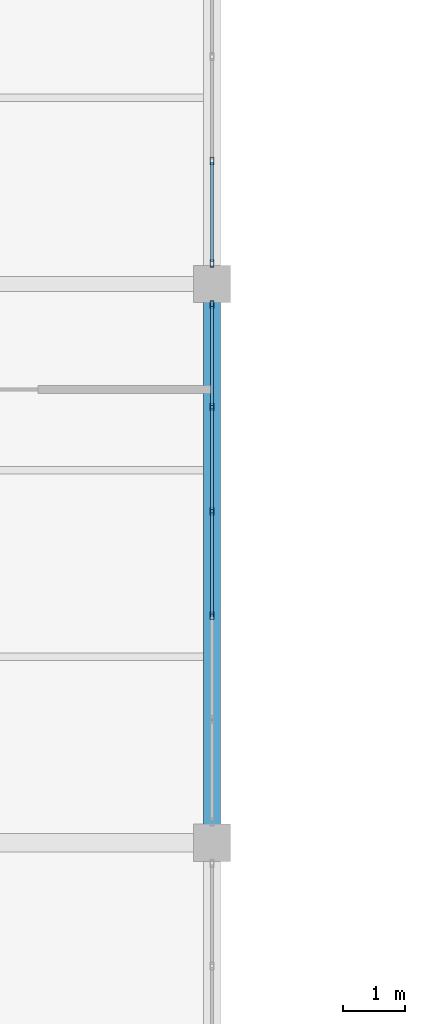
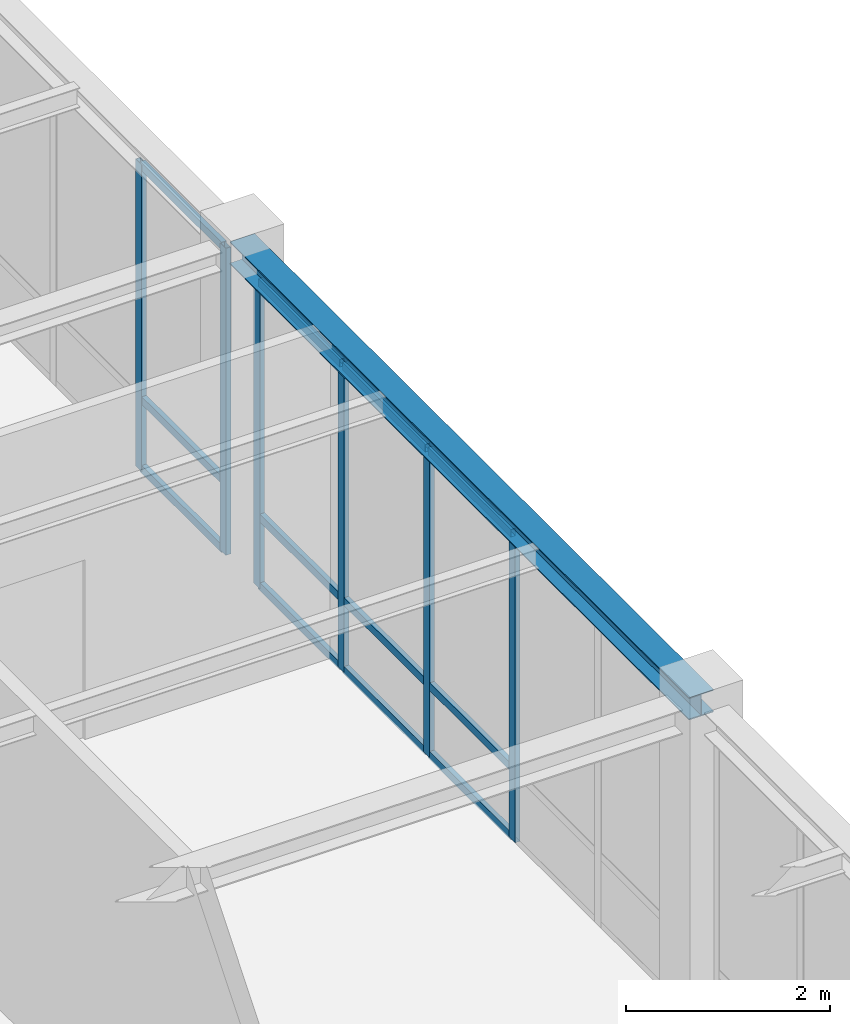
# One storey, part 33 of 97: 18 members, 1 beam, 2 elements without a shape of their own.
"""IFC4 building model written with IfcOpenShell, lengths in metres."""

from ifc_helpers import new_model, si_unit, direction, frame, origin, origin_2d, place, context, subcontext, project, spatial, hollow_rectangle, i_section, extrude, material, material_profile, profile_set, type_object, element, aggregate, save


model = new_model("IFC4")

# Units and contexts
model_context = context("Model", 3, precision=1e-05, world=origin(), true_north=direction((0.0, 1.0)))
body_context = subcontext(model_context, "Body", "Model", "MODEL_VIEW")
ifc_project = project(units=[si_unit("LENGTHUNIT", "METRE"), si_unit("AREAUNIT", "SQUARE_METRE"), si_unit("VOLUMEUNIT", "CUBIC_METRE"), si_unit("PLANEANGLEUNIT", "RADIAN"), si_unit("MASSUNIT", "GRAM", prefix="KILO")], contexts=[model_context])

# Site, building, storey
site_placement = place(None, origin())
site = spatial("IfcSite", under=ifc_project, at=site_placement, CompositionType="ELEMENT")
building_placement = place(site_placement, origin())
building = spatial("IfcBuilding", under=site, at=building_placement, Name="Lykobir Media Centre", CompositionType="ELEMENT")
storey_placement = place(building_placement, frame((0.0, 0.0, 23.39990234375)))
storey = spatial("IfcBuildingStorey", under=building, at=storey_placement, Name="L05", CompositionType="ELEMENT", Elevation=23.39990234375)

# Beam
ifc_material_1 = material(Name="Steel S355", Category="steel")
ifc_material_profile_1 = material_profile(ifc_material_1, i_section(OverallWidth=0.280029296875, OverallDepth=0.27001953125, WebThickness=0.008056640625, FlangeThickness=0.012939453125, at=origin_2d()), Name="HEA 280")
ifc_profile_set_1 = profile_set([ifc_material_profile_1], Name="Steel S355")
beam_type = type_object("IfcBeamType", Name="BM-HEA280", PredefinedType="BEAM", material=ifc_profile_set_1)
beam_placement = place(storey_placement, frame((36.0, 36.0, 3.8251953125), z_axis=(0.0, 1.0, 0.0), x_axis=(-1.0, 0.0, 0.0)))
element("IfcBeam", 1, at=beam_placement, inside=storey, type_object=beam_type, Name="Beam BM-L05-0360-0360-0360-0450-2722", PredefinedType="BEAM", context=body_context, shape_type="SweptSolid", body=[
    extrude(i_section(OverallWidth=0.280029296875, OverallDepth=0.27001953125, WebThickness=0.008056640625, FlangeThickness=0.012939453125, at=origin_2d()), origin(), (0.0, 0.0, 1.0), 9.0),
])

# Curtain wall, members
ifc_material_2 = material(Name="Anodized Aluminium AW-6060", Category="aluminium")
curtain_wall_type = type_object("IfcCurtainWallType", Name="CW-COURT-B", PredefinedType="NOTDEFINED", material=ifc_material_2)
curtain_wall_1_placement = place(storey_placement, origin())
curtain_wall_1 = element("IfcCurtainWall", 2, at=curtain_wall_1_placement, inside=storey, type_object=curtain_wall_type, Name="Curtain wall CW2-L05-0196", PredefinedType="NOTDEFINED")
ifc_material_profile_2 = material_profile(ifc_material_2, hollow_rectangle(XDim=0.054931640625, YDim=0.1201171875, WallThickness=0.003173828125, at=origin_2d()), Name="ALU MULLION 55x120")
ifc_profile_set_2 = profile_set([ifc_material_profile_2], Name="Anodized Aluminium AW-6060")
member_type_1 = type_object("IfcMemberType", Name="CWM-120", PredefinedType="MULLION", material=ifc_profile_set_2)
member_1_placement = place(storey_placement, frame((36.0, 44.66748046875, 0.0), z_axis=(0.0, 0.0, 1.0), x_axis=(1.0, 0.0, 0.0)))
member_1 = element("IfcMember", 3, at=member_1_placement, type_object=member_type_1, Name="CW2-L05-0196 mullion 1", PredefinedType="MULLION", context=body_context, shape_type="SweptSolid", body=[
    extrude(hollow_rectangle(XDim=0.054931640625, YDim=0.1201171875, WallThickness=0.003173828125, at=origin_2d()), origin(), (0.0, 0.0, 1.0), 3.675048828125),
])
member_2_placement = place(storey_placement, frame((36.0, 43.01708984375, 0.0), z_axis=(0.0, 0.0, 1.0), x_axis=(1.0, 0.0, 0.0)))
member_2 = element("IfcMember", 4, at=member_2_placement, type_object=member_type_1, Name="CW2-L05-0196 mullion 2", PredefinedType="MULLION", context=body_context, shape_type="SweptSolid", body=[
    extrude(hollow_rectangle(XDim=0.054931640625, YDim=0.1201171875, WallThickness=0.003173828125, at=origin_2d()), origin(), (0.0, 0.0, 1.0), 3.675048828125),
])
member_3_placement = place(storey_placement, frame((36.0, 41.339111328125, 0.0), z_axis=(0.0, 0.0, 1.0), x_axis=(1.0, 0.0, 0.0)))
member_3 = element("IfcMember", 5, at=member_3_placement, type_object=member_type_1, Name="CW2-L05-0196 mullion 3", PredefinedType="MULLION", context=body_context, shape_type="SweptSolid", body=[
    extrude(hollow_rectangle(XDim=0.054931640625, YDim=0.1201171875, WallThickness=0.003173828125, at=origin_2d()), origin(), (0.0, 0.0, 1.0), 3.675048828125),
])
member_4_placement = place(storey_placement, frame((36.0, 39.660888671875, 0.0), z_axis=(0.0, 0.0, 1.0), x_axis=(1.0, 0.0, 0.0)))
member_4 = element("IfcMember", 6, at=member_4_placement, type_object=member_type_1, Name="CW2-L05-0196 mullion 4", PredefinedType="MULLION", context=body_context, shape_type="SweptSolid", body=[
    extrude(hollow_rectangle(XDim=0.054931640625, YDim=0.1201171875, WallThickness=0.003173828125, at=origin_2d()), origin(), (0.0, 0.0, 1.0), 3.675048828125),
])

curtain_wall_2_placement = place(storey_placement, origin())
curtain_wall_2 = element("IfcCurtainWall", 7, at=curtain_wall_2_placement, inside=storey, type_object=curtain_wall_type, Name="Curtain wall CW2-L05-0197", PredefinedType="NOTDEFINED")
member_5_placement = place(storey_placement, frame((36.0, 46.98291015625, 0.0), z_axis=(0.0, 0.0, 1.0), x_axis=(1.0, 0.0, 0.0)))
member_5 = element("IfcMember", 8, at=member_5_placement, type_object=member_type_1, Name="CW2-L05-0197 mullion 5", PredefinedType="MULLION", context=body_context, shape_type="SweptSolid", body=[
    extrude(hollow_rectangle(XDim=0.054931640625, YDim=0.1201171875, WallThickness=0.003173828125, at=origin_2d()), origin(), (0.0, 0.0, 1.0), 3.673095703125),
])
member_6_placement = place(storey_placement, frame((36.0, 45.33251953125, 0.0), z_axis=(0.0, 0.0, 1.0), x_axis=(1.0, 0.0, 0.0)))
member_6 = element("IfcMember", 9, at=member_6_placement, type_object=member_type_1, Name="CW2-L05-0197 mullion 6", PredefinedType="MULLION", context=body_context, shape_type="SweptSolid", body=[
    extrude(hollow_rectangle(XDim=0.054931640625, YDim=0.1201171875, WallThickness=0.003173828125, at=origin_2d()), origin(), (0.0, 0.0, 1.0), 3.673095703125),
])

# Member
ifc_material_profile_3 = material_profile(ifc_material_2, hollow_rectangle(XDim=0.054931640625, YDim=0.094970703125, WallThickness=0.0029296875, at=origin_2d()), Name="ALU TRANSOM 55x95")
ifc_profile_set_3 = profile_set([ifc_material_profile_3], Name="Anodized Aluminium AW-6060")
member_type_2 = type_object("IfcMemberType", Name="CWT-095", PredefinedType="USERDEFINED", material=ifc_profile_set_3)
member_7_placement = place(storey_placement, frame((36.0, 44.639892578125, 0.027587890625), z_axis=(0.0, -1.0, 0.0), x_axis=(1.0, 0.0, 0.0)))
member_7 = element("IfcMember", 10, at=member_7_placement, type_object=member_type_2, Name="CW2-L05-0196 transom 1.1", ObjectType="TRANSOM", PredefinedType="USERDEFINED", context=body_context, shape_type="SweptSolid", body=[
    extrude(hollow_rectangle(XDim=0.054931640625, YDim=0.094970703125, WallThickness=0.0029296875, at=origin_2d()), origin(), (0.0, 0.0, 1.0), 1.595458984375),
])

member_8_placement = place(storey_placement, frame((36.0, 44.639892578125, 0.85009765625), z_axis=(0.0, -1.0, 0.0), x_axis=(1.0, 0.0, 0.0)))
member_8 = element("IfcMember", 11, at=member_8_placement, type_object=member_type_2, Name="CW2-L05-0196 transom 1.2", ObjectType="TRANSOM", PredefinedType="USERDEFINED", context=body_context, shape_type="SweptSolid", body=[
    extrude(hollow_rectangle(XDim=0.054931640625, YDim=0.094970703125, WallThickness=0.0029296875, at=origin_2d()), origin(), (0.0, 0.0, 1.0), 1.595458984375),
])

member_9_placement = place(storey_placement, frame((36.0, 44.639892578125, 3.647705078125), z_axis=(0.0, -1.0, 0.0), x_axis=(1.0, 0.0, 0.0)))
member_9 = element("IfcMember", 12, at=member_9_placement, type_object=member_type_2, Name="CW2-L05-0196 transom 1.3", ObjectType="TRANSOM", PredefinedType="USERDEFINED", context=body_context, shape_type="SweptSolid", body=[
    extrude(hollow_rectangle(XDim=0.054931640625, YDim=0.094970703125, WallThickness=0.0029296875, at=origin_2d()), origin(), (0.0, 0.0, 1.0), 1.595458984375),
])

member_10_placement = place(storey_placement, frame((36.0, 42.989501953125, 0.027587890625), z_axis=(0.0, -1.0, 0.0), x_axis=(1.0, 0.0, 0.0)))
member_10 = element("IfcMember", 13, at=member_10_placement, type_object=member_type_2, Name="CW2-L05-0196 transom 2.1", ObjectType="TRANSOM", PredefinedType="USERDEFINED", context=body_context, shape_type="SweptSolid", body=[
    extrude(hollow_rectangle(XDim=0.054931640625, YDim=0.094970703125, WallThickness=0.0029296875, at=origin_2d()), origin(), (0.0, 0.0, 1.0), 1.623046875),
])

member_11_placement = place(storey_placement, frame((36.0, 42.989501953125, 0.85009765625), z_axis=(0.0, -1.0, 0.0), x_axis=(1.0, 0.0, 0.0)))
member_11 = element("IfcMember", 14, at=member_11_placement, type_object=member_type_2, Name="CW2-L05-0196 transom 2.2", ObjectType="TRANSOM", PredefinedType="USERDEFINED", context=body_context, shape_type="SweptSolid", body=[
    extrude(hollow_rectangle(XDim=0.054931640625, YDim=0.094970703125, WallThickness=0.0029296875, at=origin_2d()), origin(), (0.0, 0.0, 1.0), 1.623046875),
])

member_12_placement = place(storey_placement, frame((36.0, 42.989501953125, 3.647705078125), z_axis=(0.0, -1.0, 0.0), x_axis=(1.0, 0.0, 0.0)))
member_12 = element("IfcMember", 15, at=member_12_placement, type_object=member_type_2, Name="CW2-L05-0196 transom 2.3", ObjectType="TRANSOM", PredefinedType="USERDEFINED", context=body_context, shape_type="SweptSolid", body=[
    extrude(hollow_rectangle(XDim=0.054931640625, YDim=0.094970703125, WallThickness=0.0029296875, at=origin_2d()), origin(), (0.0, 0.0, 1.0), 1.623046875),
])

member_13_placement = place(storey_placement, frame((36.0, 41.3115234375, 0.027587890625), z_axis=(0.0, -1.0, 0.0), x_axis=(1.0, 0.0, 0.0)))
member_13 = element("IfcMember", 16, at=member_13_placement, type_object=member_type_2, Name="CW2-L05-0196 transom 3.1", ObjectType="TRANSOM", PredefinedType="USERDEFINED", context=body_context, shape_type="SweptSolid", body=[
    extrude(hollow_rectangle(XDim=0.054931640625, YDim=0.094970703125, WallThickness=0.0029296875, at=origin_2d()), origin(), (0.0, 0.0, 1.0), 1.623046875),
])

member_14_placement = place(storey_placement, frame((36.0, 41.3115234375, 0.85009765625), z_axis=(0.0, -1.0, 0.0), x_axis=(1.0, 0.0, 0.0)))
member_14 = element("IfcMember", 17, at=member_14_placement, type_object=member_type_2, Name="CW2-L05-0196 transom 3.2", ObjectType="TRANSOM", PredefinedType="USERDEFINED", context=body_context, shape_type="SweptSolid", body=[
    extrude(hollow_rectangle(XDim=0.054931640625, YDim=0.094970703125, WallThickness=0.0029296875, at=origin_2d()), origin(), (0.0, 0.0, 1.0), 1.623046875),
])

member_15_placement = place(storey_placement, frame((36.0, 41.3115234375, 3.647705078125), z_axis=(0.0, -1.0, 0.0), x_axis=(1.0, 0.0, 0.0)))
member_15 = element("IfcMember", 18, at=member_15_placement, type_object=member_type_2, Name="CW2-L05-0196 transom 3.3", ObjectType="TRANSOM", PredefinedType="USERDEFINED", context=body_context, shape_type="SweptSolid", body=[
    extrude(hollow_rectangle(XDim=0.054931640625, YDim=0.094970703125, WallThickness=0.0029296875, at=origin_2d()), origin(), (0.0, 0.0, 1.0), 1.623046875),
])

aggregate(curtain_wall_1, [member_1, member_2, member_3, member_4, member_7, member_8, member_9, member_10, member_11, member_12, member_13, member_14, member_15])

member_16_placement = place(storey_placement, frame((36.0, 46.95556640625, 0.027587890625), z_axis=(0.0, -1.0, 0.0), x_axis=(1.0, 0.0, 0.0)))
member_16 = element("IfcMember", 19, at=member_16_placement, type_object=member_type_2, Name="CW2-L05-0197 transom 5.1", ObjectType="TRANSOM", PredefinedType="USERDEFINED", context=body_context, shape_type="SweptSolid", body=[
    extrude(hollow_rectangle(XDim=0.054931640625, YDim=0.094970703125, WallThickness=0.0029296875, at=origin_2d()), origin(), (0.0, 0.0, 1.0), 1.595458984375),
])

member_17_placement = place(storey_placement, frame((36.0, 46.95556640625, 0.85009765625), z_axis=(0.0, -1.0, 0.0), x_axis=(1.0, 0.0, 0.0)))
member_17 = element("IfcMember", 20, at=member_17_placement, type_object=member_type_2, Name="CW2-L05-0197 transom 5.2", ObjectType="TRANSOM", PredefinedType="USERDEFINED", context=body_context, shape_type="SweptSolid", body=[
    extrude(hollow_rectangle(XDim=0.054931640625, YDim=0.094970703125, WallThickness=0.0029296875, at=origin_2d()), origin(), (0.0, 0.0, 1.0), 1.595458984375),
])

member_18_placement = place(storey_placement, frame((36.0, 46.95556640625, 3.6455078125), z_axis=(0.0, -1.0, 0.0), x_axis=(1.0, 0.0, 0.0)))
member_18 = element("IfcMember", 21, at=member_18_placement, type_object=member_type_2, Name="CW2-L05-0197 transom 5.3", ObjectType="TRANSOM", PredefinedType="USERDEFINED", context=body_context, shape_type="SweptSolid", body=[
    extrude(hollow_rectangle(XDim=0.054931640625, YDim=0.094970703125, WallThickness=0.0029296875, at=origin_2d()), origin(), (0.0, 0.0, 1.0), 1.595458984375),
])

aggregate(curtain_wall_2, [member_5, member_6, member_16, member_17, member_18])

save(model, "model.ifc")
